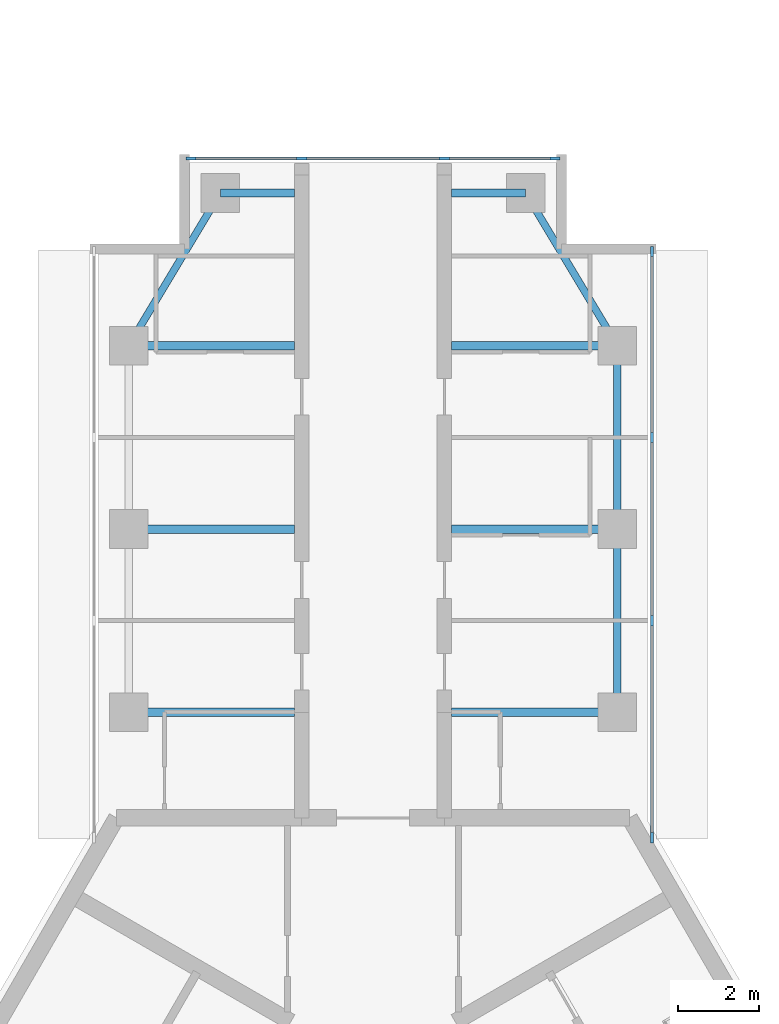
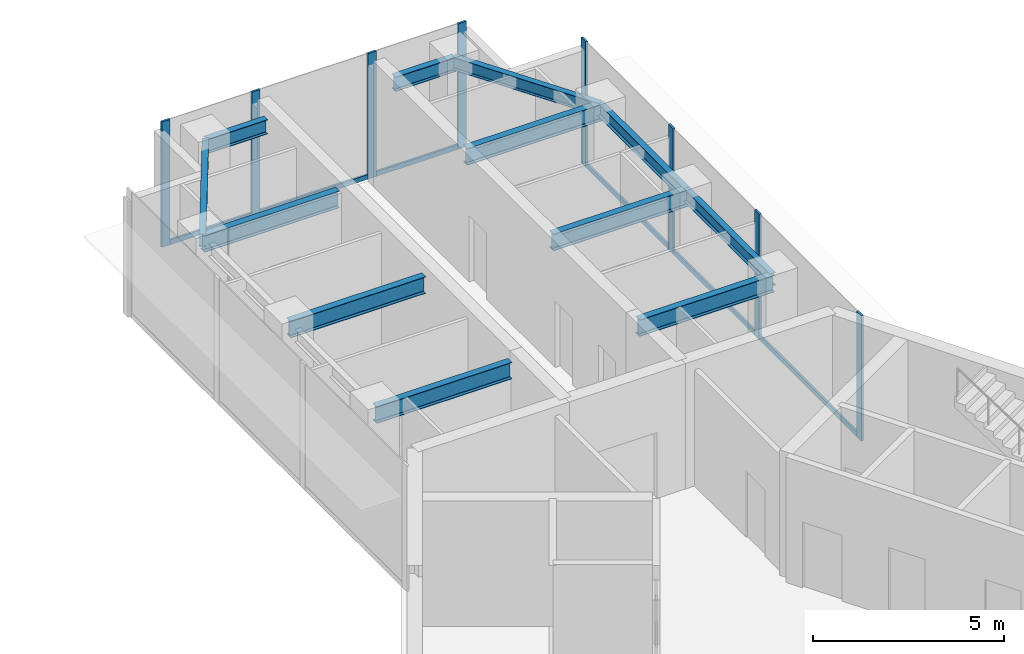
# One storey, part 3 of 11: 14 members, 12 beams, 2 elements without a shape of their own.
"""IFC4 building model written with IfcOpenShell, lengths in metres."""

from ifc_helpers import new_model, si_unit, direction, frame, origin, origin_2d, place, context, subcontext, project, spatial, rectangle, i_section, extrude, material, material_profile, profile_set, type_object, element, aggregate, save


model = new_model("IFC4")

# Units and contexts
model_context = context("Model", 3, precision=1e-05, world=origin(), true_north=direction((0.0, 1.0)))
body_context = subcontext(model_context, "Body", "Model", "MODEL_VIEW")
ifc_project = project(units=[si_unit("LENGTHUNIT", "METRE"), si_unit("AREAUNIT", "SQUARE_METRE"), si_unit("VOLUMEUNIT", "CUBIC_METRE"), si_unit("PLANEANGLEUNIT", "RADIAN"), si_unit("MASSUNIT", "GRAM", prefix="KILO")], contexts=[model_context])

# Site, building, storey
site_placement = place(None, origin())
site = spatial("IfcSite", under=ifc_project, at=site_placement, CompositionType="ELEMENT")
building_placement = place(site_placement, origin())
building = spatial("IfcBuilding", under=site, at=building_placement, Name="Upepo Twin Towers", CompositionType="ELEMENT")
storey_placement = place(building_placement, frame((0.0, 0.0, 287.5)))
storey = spatial("IfcBuildingStorey", under=building, at=storey_placement, Name="L70", CompositionType="ELEMENT", Elevation=287.5)

# Beams
ifc_material_1 = material(Name="Steel S355", Category="steel")
ifc_material_profile_1 = material_profile(ifc_material_1, i_section(OverallWidth=0.177978515625, OverallDepth=0.406494140625, WebThickness=0.0078125, FlangeThickness=0.0126953125, FilletRadius=0.01025390625, at=origin_2d()), Name="UB 406x178x60")
ifc_profile_set_1 = profile_set([ifc_material_profile_1], Name="Steel S355")
beam_type_1 = type_object("IfcBeamType", Name="Beam UB 406x178x60", PredefinedType="BEAM", material=ifc_profile_set_1)
beam_1_placement = place(storey_placement, frame((52.5, 4.5, 3.496826171875), z_axis=(0.514495755428, 0.857492925713, 0.0), x_axis=(-0.857492925713, 0.514495755428, 0.0)))
element("IfcBeam", 1, at=beam_1_placement, inside=storey, type_object=beam_type_1, Name="T2 nose edge beam AL", PredefinedType="BEAM", context=body_context, shape_type="SweptSolid", body=[
    extrude(i_section(OverallWidth=0.177978515625, OverallDepth=0.406494140625, WebThickness=0.0078125, FlangeThickness=0.0126953125, FilletRadius=0.01025390625, at=origin_2d()), origin(), (0.0, 0.0, 1.0), 4.373291015625),
])
for number, where, z_axis, x_axis, name in (
    (2, (64.5, -4.5, 3.496826171875), (0.0, 1.0, 0.0), (-1.0, 0.0, 0.0), "T2 edge beam AR 13.5-18.0"),
    (3, (64.5, 0.0, 3.496826171875), (0.0, 1.0, 0.0), (-1.0, 0.0, 0.0), "T2 edge beam AR 18.0-22.5"),
):
    element("IfcBeam", number, at=place(storey_placement, frame(where, z_axis=z_axis, x_axis=x_axis)), inside=storey, type_object=beam_type_1, Name=name, PredefinedType="BEAM", context=body_context, shape_type="SweptSolid", body=[
        extrude(i_section(OverallWidth=0.177978515625, OverallDepth=0.406494140625, WebThickness=0.0078125, FlangeThickness=0.0126953125, FilletRadius=0.01025390625, at=origin_2d()), origin(), (0.0, 0.0, 1.0), 4.5),
    ])
beam_2_placement = place(storey_placement, frame((64.5, 4.5, 3.496826171875), z_axis=(-0.514495755428, 0.857492925713, 0.0), x_axis=(-0.857492925713, -0.514495755428, 0.0)))
element("IfcBeam", 4, at=beam_2_placement, inside=storey, type_object=beam_type_1, Name="T2 nose edge beam AR", PredefinedType="BEAM", context=body_context, shape_type="SweptSolid", body=[
    extrude(i_section(OverallWidth=0.177978515625, OverallDepth=0.406494140625, WebThickness=0.0078125, FlangeThickness=0.0126953125, FilletRadius=0.01025390625, at=origin_2d()), origin(), (0.0, 0.0, 1.0), 4.373291015625),
])
ifc_material_2 = material(Name="Steel S355", Category="steel")
ifc_material_profile_2 = material_profile(ifc_material_2, i_section(OverallWidth=0.19140625, OverallDepth=0.4599609375, WebThickness=0.010009765625, FlangeThickness=0.01611328125, FilletRadius=0.01025390625, at=origin_2d()), Name="UB 457x191x82")
ifc_profile_set_2 = profile_set([ifc_material_profile_2], Name="Steel S355")
beam_type_2 = type_object("IfcBeamType", Name="Beam UB 457x191x82", PredefinedType="BEAM", material=ifc_profile_set_2)
for number, where, z_axis, x_axis, name in (
    (5, (54.75, 8.25, 3.469970703125), (1.0, 0.0, 0.0), (0.0, 1.0, 0.0), "T2 nose beam AL"),
    (6, (62.25, 8.25, 3.469970703125), (-1.0, 0.0, 0.0), (0.0, -1.0, 0.0), "T2 nose beam AR"),
):
    element("IfcBeam", number, at=place(storey_placement, frame(where, z_axis=z_axis, x_axis=x_axis)), inside=storey, type_object=beam_type_2, Name=name, PredefinedType="BEAM", context=body_context, shape_type="SweptSolid", body=[
        extrude(i_section(OverallWidth=0.19140625, OverallDepth=0.4599609375, WebThickness=0.010009765625, FlangeThickness=0.01611328125, FilletRadius=0.01025390625, at=origin_2d()), origin(), (0.0, 0.0, 1.0), 1.824951171875),
    ])
ifc_material_3 = material(Name="Steel S355", Category="steel")
ifc_material_profile_3 = material_profile(ifc_material_3, i_section(OverallWidth=0.209228515625, OverallDepth=0.533203125, WebThickness=0.010009765625, FlangeThickness=0.015625, FilletRadius=0.0126953125, at=origin_2d()), Name="UB 533x210x92")
ifc_profile_set_3 = profile_set([ifc_material_profile_3], Name="Steel S355")
beam_type_3 = type_object("IfcBeamType", Name="Beam UB 533x210x92", PredefinedType="BEAM", material=ifc_profile_set_3)
for number, where, z_axis, x_axis, name in (
    (7, (52.5, -4.5, 3.433349609375), (1.0, 0.0, 0.0), (0.0, 1.0, 0.0), "T2 girder AL at 13.5"),
    (8, (52.5, 0.0, 3.433349609375), (1.0, 0.0, 0.0), (0.0, 1.0, 0.0), "T2 girder AL at 18.0"),
    (9, (52.5, 4.5, 3.433349609375), (1.0, 0.0, 0.0), (0.0, 1.0, 0.0), "T2 girder AL at 22.5"),
    (10, (64.5, -4.5, 3.433349609375), (-1.0, 0.0, 0.0), (0.0, -1.0, 0.0), "T2 girder AR at 13.5"),
    (11, (64.5, 0.0, 3.433349609375), (-1.0, 0.0, 0.0), (0.0, -1.0, 0.0), "T2 girder AR at 18.0"),
    (12, (64.5, 4.5, 3.433349609375), (-1.0, 0.0, 0.0), (0.0, -1.0, 0.0), "T2 girder AR at 22.5"),
):
    element("IfcBeam", number, at=place(storey_placement, frame(where, z_axis=z_axis, x_axis=x_axis)), inside=storey, type_object=beam_type_3, Name=name, PredefinedType="BEAM", context=body_context, shape_type="SweptSolid", body=[
        extrude(i_section(OverallWidth=0.209228515625, OverallDepth=0.533203125, WebThickness=0.010009765625, FlangeThickness=0.015625, FilletRadius=0.0126953125, at=origin_2d()), origin(), (0.0, 0.0, 1.0), 4.074951171875),
    ])

# Curtain wall, members
ifc_material_4 = material(Name="Aluminium and fritted glass", Category="aluminium")
curtain_wall_type = type_object("IfcCurtainWallType", Name="Tower curtain wall TW4, fritted glass", PredefinedType="NOTDEFINED", material=ifc_material_4)
curtain_wall_1_placement = place(storey_placement, origin())
curtain_wall_1 = element("IfcCurtainWall", 13, at=curtain_wall_1_placement, inside=storey, type_object=curtain_wall_type, Name="T2 L70 wing A flank R curtain wall", PredefinedType="NOTDEFINED")
ifc_material_5 = material(Name="Aluminium mullion", Category="aluminium")
ifc_material_profile_4 = material_profile(ifc_material_5, rectangle(XDim=0.06494140625, YDim=0.25, at=origin_2d()), Name="MULLION 65x250")
ifc_profile_set_4 = profile_set([ifc_material_profile_4], Name="Aluminium mullion")
member_type_1 = type_object("IfcMemberType", Name="Mullion 65x250 TW4", PredefinedType="MULLION", material=ifc_profile_set_4)
member_1_placement = place(storey_placement, frame((65.35009765625, 6.8173828125, 0.0), z_axis=(0.0, 0.0, 1.0), x_axis=(1.0, 0.0, 0.0)))
member_1 = element("IfcMember", 14, at=member_1_placement, type_object=member_type_1, Name="T2 L70 wing A flank R curtain wall mullion 1", PredefinedType="MULLION", context=body_context, shape_type="SweptSolid", body=[
    extrude(rectangle(XDim=0.06494140625, YDim=0.25, at=origin_2d()), origin(), (0.0, 0.0, 1.0), 4.0),
])
member_2_placement = place(storey_placement, frame((65.35009765625, 2.25, 0.0), z_axis=(0.0, 0.0, 1.0), x_axis=(1.0, 0.0, 0.0)))
member_2 = element("IfcMember", 15, at=member_2_placement, type_object=member_type_1, Name="T2 L70 wing A flank R curtain wall mullion 2", PredefinedType="MULLION", context=body_context, shape_type="SweptSolid", body=[
    extrude(rectangle(XDim=0.06494140625, YDim=0.25, at=origin_2d()), origin(), (0.0, 0.0, 1.0), 4.0),
])
member_3_placement = place(storey_placement, frame((65.35009765625, -2.25, 0.0), z_axis=(0.0, 0.0, 1.0), x_axis=(1.0, 0.0, 0.0)))
member_3 = element("IfcMember", 16, at=member_3_placement, type_object=member_type_1, Name="T2 L70 wing A flank R curtain wall mullion 3", PredefinedType="MULLION", context=body_context, shape_type="SweptSolid", body=[
    extrude(rectangle(XDim=0.06494140625, YDim=0.25, at=origin_2d()), origin(), (0.0, 0.0, 1.0), 4.0),
])
member_4_placement = place(storey_placement, frame((65.35009765625, -7.580322265625, 0.0), z_axis=(0.0, 0.0, 1.0), x_axis=(1.0, 0.0, 0.0)))
member_4 = element("IfcMember", 17, at=member_4_placement, type_object=member_type_1, Name="T2 L70 wing A flank R curtain wall mullion 4", PredefinedType="MULLION", context=body_context, shape_type="SweptSolid", body=[
    extrude(rectangle(XDim=0.06494140625, YDim=0.25, at=origin_2d()), origin(), (0.0, 0.0, 1.0), 4.0),
])

curtain_wall_2_placement = place(storey_placement, origin())
curtain_wall_2 = element("IfcCurtainWall", 18, at=curtain_wall_2_placement, inside=storey, type_object=curtain_wall_type, Name="T2 L70 wing A nose curtain wall", PredefinedType="NOTDEFINED")
member_5_placement = place(storey_placement, frame((62.967529296875, 9.10009765625, 0.0), z_axis=(0.0, 0.0, 1.0), x_axis=(0.0, -1.0, 0.0)))
member_5 = element("IfcMember", 19, at=member_5_placement, type_object=member_type_1, Name="T2 L70 wing A nose curtain wall mullion 1", PredefinedType="MULLION", context=body_context, shape_type="SweptSolid", body=[
    extrude(rectangle(XDim=0.06494140625, YDim=0.25, at=origin_2d()), origin(), (0.0, 0.0, 1.0), 4.0),
])
member_6_placement = place(storey_placement, frame((60.25, 9.10009765625, 0.0), z_axis=(0.0, 0.0, 1.0), x_axis=(0.0, -1.0, 0.0)))
member_6 = element("IfcMember", 20, at=member_6_placement, type_object=member_type_1, Name="T2 L70 wing A nose curtain wall mullion 2", PredefinedType="MULLION", context=body_context, shape_type="SweptSolid", body=[
    extrude(rectangle(XDim=0.06494140625, YDim=0.25, at=origin_2d()), origin(), (0.0, 0.0, 1.0), 4.0),
])
member_7_placement = place(storey_placement, frame((56.75, 9.10009765625, 0.0), z_axis=(0.0, 0.0, 1.0), x_axis=(0.0, -1.0, 0.0)))
member_7 = element("IfcMember", 21, at=member_7_placement, type_object=member_type_1, Name="T2 L70 wing A nose curtain wall mullion 3", PredefinedType="MULLION", context=body_context, shape_type="SweptSolid", body=[
    extrude(rectangle(XDim=0.06494140625, YDim=0.25, at=origin_2d()), origin(), (0.0, 0.0, 1.0), 4.0),
])
member_8_placement = place(storey_placement, frame((54.032470703125, 9.10009765625, 0.0), z_axis=(0.0, 0.0, 1.0), x_axis=(0.0, -1.0, 0.0)))
member_8 = element("IfcMember", 22, at=member_8_placement, type_object=member_type_1, Name="T2 L70 wing A nose curtain wall mullion 4", PredefinedType="MULLION", context=body_context, shape_type="SweptSolid", body=[
    extrude(rectangle(XDim=0.06494140625, YDim=0.25, at=origin_2d()), origin(), (0.0, 0.0, 1.0), 4.0),
])

# Member
ifc_material_6 = material(Name="Aluminium transom", Category="aluminium")
ifc_material_profile_5 = material_profile(ifc_material_6, rectangle(XDim=0.06494140625, YDim=0.14990234375, at=origin_2d()), Name="TRANSOM 65x150")
ifc_profile_set_5 = profile_set([ifc_material_profile_5], Name="Aluminium transom")
member_type_2 = type_object("IfcMemberType", Name="Transom 65x150 TW4", PredefinedType="USERDEFINED", material=ifc_profile_set_5)
member_9_placement = place(storey_placement, frame((65.35009765625, 6.784912109375, 0.074951171875), z_axis=(0.0, -1.0, 0.0), x_axis=(1.0, 0.0, 0.0)))
member_9 = element("IfcMember", 23, at=member_9_placement, type_object=member_type_2, Name="T2 L70 wing A flank R curtain wall transom 1", ObjectType="TRANSOM", PredefinedType="USERDEFINED", context=body_context, shape_type="SweptSolid", body=[
    extrude(rectangle(XDim=0.06494140625, YDim=0.14990234375, at=origin_2d()), origin(), (0.0, 0.0, 1.0), 4.50244140625),
])

member_10_placement = place(storey_placement, frame((65.35009765625, 2.217529296875, 0.074951171875), z_axis=(0.0, -1.0, 0.0), x_axis=(1.0, 0.0, 0.0)))
member_10 = element("IfcMember", 24, at=member_10_placement, type_object=member_type_2, Name="T2 L70 wing A flank R curtain wall transom 2", ObjectType="TRANSOM", PredefinedType="USERDEFINED", context=body_context, shape_type="SweptSolid", body=[
    extrude(rectangle(XDim=0.06494140625, YDim=0.14990234375, at=origin_2d()), origin(), (0.0, 0.0, 1.0), 4.43505859375),
])

member_11_placement = place(storey_placement, frame((65.35009765625, -2.282470703125, 0.074951171875), z_axis=(0.0, -1.0, 0.0), x_axis=(1.0, 0.0, 0.0)))
member_11 = element("IfcMember", 25, at=member_11_placement, type_object=member_type_2, Name="T2 L70 wing A flank R curtain wall transom 3", ObjectType="TRANSOM", PredefinedType="USERDEFINED", context=body_context, shape_type="SweptSolid", body=[
    extrude(rectangle(XDim=0.06494140625, YDim=0.14990234375, at=origin_2d()), origin(), (0.0, 0.0, 1.0), 5.265380859375),
])

aggregate(curtain_wall_1, [member_1, member_2, member_3, member_4, member_9, member_10, member_11])

member_12_placement = place(storey_placement, frame((62.93505859375, 9.10009765625, 0.074951171875), z_axis=(-1.0, 0.0, 0.0), x_axis=(0.0, -1.0, 0.0)))
member_12 = element("IfcMember", 26, at=member_12_placement, type_object=member_type_2, Name="T2 L70 wing A nose curtain wall transom 1", ObjectType="TRANSOM", PredefinedType="USERDEFINED", context=body_context, shape_type="SweptSolid", body=[
    extrude(rectangle(XDim=0.06494140625, YDim=0.14990234375, at=origin_2d()), origin(), (0.0, 0.0, 1.0), 2.652587890625),
])

member_13_placement = place(storey_placement, frame((60.217529296875, 9.10009765625, 0.074951171875), z_axis=(-1.0, 0.0, 0.0), x_axis=(0.0, -1.0, 0.0)))
member_13 = element("IfcMember", 27, at=member_13_placement, type_object=member_type_2, Name="T2 L70 wing A nose curtain wall transom 2", ObjectType="TRANSOM", PredefinedType="USERDEFINED", context=body_context, shape_type="SweptSolid", body=[
    extrude(rectangle(XDim=0.06494140625, YDim=0.14990234375, at=origin_2d()), origin(), (0.0, 0.0, 1.0), 3.43505859375),
])

member_14_placement = place(storey_placement, frame((56.717529296875, 9.10009765625, 0.074951171875), z_axis=(-1.0, 0.0, 0.0), x_axis=(0.0, -1.0, 0.0)))
member_14 = element("IfcMember", 28, at=member_14_placement, type_object=member_type_2, Name="T2 L70 wing A nose curtain wall transom 3", ObjectType="TRANSOM", PredefinedType="USERDEFINED", context=body_context, shape_type="SweptSolid", body=[
    extrude(rectangle(XDim=0.06494140625, YDim=0.14990234375, at=origin_2d()), origin(), (0.0, 0.0, 1.0), 2.652587890625),
])

aggregate(curtain_wall_2, [member_5, member_6, member_7, member_8, member_12, member_13, member_14])

save(model, "model.ifc")
